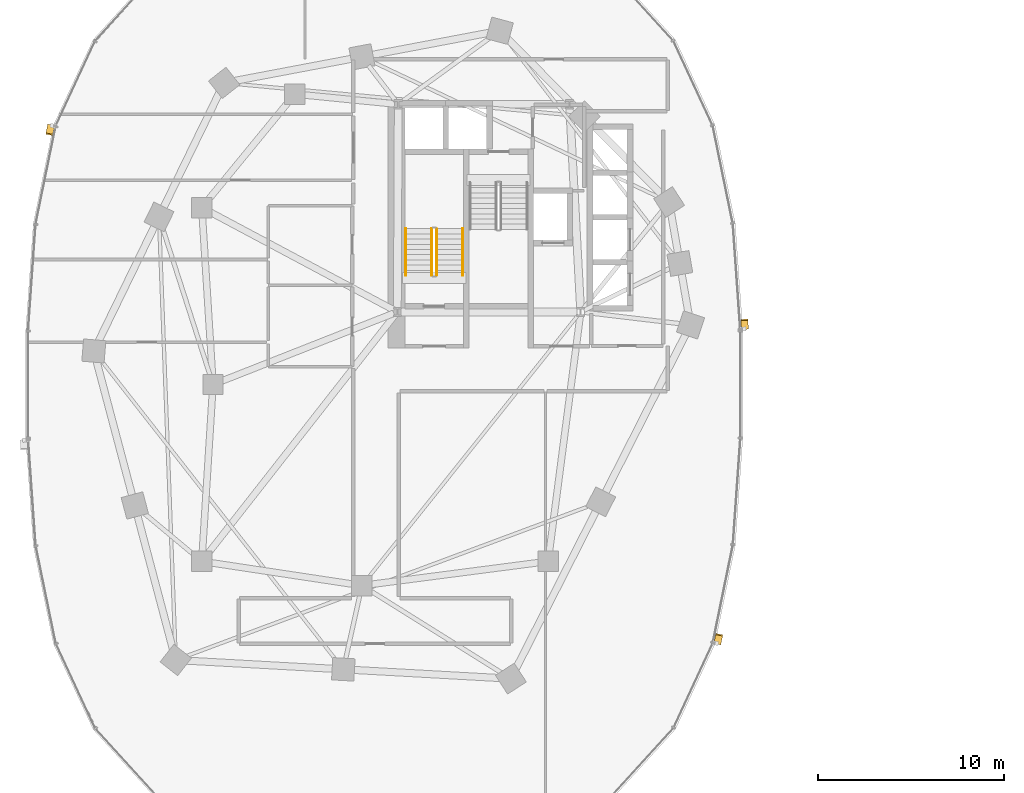
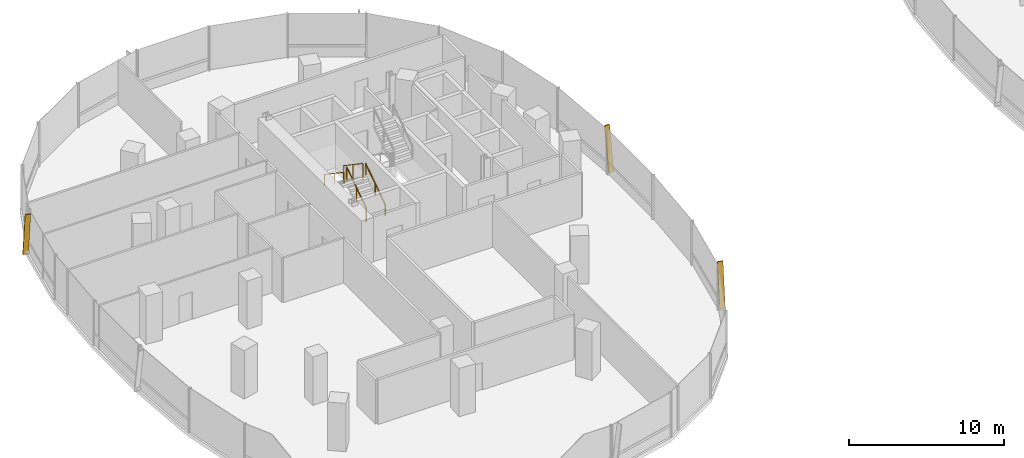
# One storey, part 18 of 21: 4 railings, 3 shading devices.
"""IFC4 building model written with IfcOpenShell, lengths in metres."""

from ifc_helpers import new_model, si_unit, direction, frame, origin, origin_2d, place, context, subcontext, project, spatial, rectangle, extrude, material, material_profile, profile_set, type_object, element, save


model = new_model("IFC4")

# Units and contexts
model_context = context("Model", 3, precision=1e-05, world=origin(), true_north=direction((0.0, 1.0)))
body_context = subcontext(model_context, "Body", "Model", "MODEL_VIEW")
ifc_project = project(units=[si_unit("LENGTHUNIT", "METRE"), si_unit("AREAUNIT", "SQUARE_METRE"), si_unit("VOLUMEUNIT", "CUBIC_METRE"), si_unit("PLANEANGLEUNIT", "RADIAN"), si_unit("MASSUNIT", "GRAM", prefix="KILO"), si_unit("THERMODYNAMICTEMPERATUREUNIT", "KELVIN"), si_unit("POWERUNIT", "WATT")], contexts=[model_context])

# Site, building, storey
site_placement = place(None, origin())
site = spatial("IfcSite", under=ifc_project, at=site_placement, CompositionType="ELEMENT")
building_placement = place(site_placement, origin())
building = spatial("IfcBuilding", under=site, at=building_placement, Name="Cundina Bronze Exchange", CompositionType="ELEMENT")
storey_placement = place(building_placement, frame((0.0, 0.0, 31.60009765625)))
storey = spatial("IfcBuildingStorey", under=building, at=storey_placement, Name="L07", CompositionType="ELEMENT", Elevation=31.60009765625)

# Railings
ifc_material_1 = material(Name="Steel ASTM A36 Painted", Category="steel")
railing_type_1 = type_object("IfcRailingType", Name="RLG-HND-900", PredefinedType="HANDRAIL", material=ifc_material_1)
railing_1_placement = place(storey_placement, frame((-27.7900390625, 5.85009765625, 0.18994140625)))
element("IfcRailing", 1, at=railing_1_placement, inside=storey, type_object=railing_type_1, Name="L07 ST-W1 stair handrail 1", PredefinedType="HANDRAIL", context=body_context, shape_type="SweptSolid", body=[
    extrude(rectangle(XDim=0.048095703125, YDim=0.048095703125, at=origin_2d()), frame((0.0, 0.0, 0.8759765625), z_axis=(0.0, 0.827483756001, 0.561489655786), x_axis=(-1.0, 0.0, 0.0)), (0.0, 0.0, 1.0), 3.04541015625),
    extrude(rectangle(XDim=0.0419921875, YDim=0.0419921875, at=origin_2d()), origin(), (0.0, 0.0, 1.0), 0.851806640625),
    extrude(rectangle(XDim=0.0419921875, YDim=0.0419921875, at=origin_2d()), frame((0.0, 1.260009765625, 0.85498046875)), (0.0, 0.0, 1.0), 0.851806640625),
    extrude(rectangle(XDim=0.0419921875, YDim=0.0419921875, at=origin_2d()), frame((0.0, 2.52001953125, 1.7099609375)), (0.0, 0.0, 1.0), 0.851806640625),
])
railing_2_placement = place(storey_placement, frame((-30.85009765625, 8.3701171875, 2.08984375)))
element("IfcRailing", 2, at=railing_2_placement, inside=storey, type_object=railing_type_1, Name="L07 ST-W1 stair handrail 2", PredefinedType="HANDRAIL", context=body_context, shape_type="SweptSolid", body=[
    extrude(rectangle(XDim=0.048095703125, YDim=0.048095703125, at=origin_2d()), frame((0.0, 0.0, 0.8759765625), z_axis=(0.0, -0.827483756001, 0.561489655786), x_axis=(1.0, 0.0, 0.0)), (0.0, 0.0, 1.0), 3.04541015625),
    extrude(rectangle(XDim=0.0419921875, YDim=0.0419921875, at=origin_2d()), origin(), (0.0, 0.0, 1.0), 0.851806640625),
    extrude(rectangle(XDim=0.0419921875, YDim=0.0419921875, at=origin_2d()), frame((0.0, -1.260009765625, 0.85498046875)), (0.0, 0.0, 1.0), 0.851806640625),
    extrude(rectangle(XDim=0.0419921875, YDim=0.0419921875, at=origin_2d()), frame((0.0, -2.52001953125, 1.7099609375)), (0.0, 0.0, 1.0), 0.851806640625),
])
railing_type_2 = type_object("IfcRailingType", Name="RLG-STG-1100", PredefinedType="GUARDRAIL", material=ifc_material_1)
railing_3_placement = place(storey_placement, frame((-29.18994140625, 5.85009765625, 0.18994140625)))
element("IfcRailing", 3, at=railing_3_placement, inside=storey, type_object=railing_type_2, Name="L07 ST-W1 stair guard 1", PredefinedType="GUARDRAIL", context=body_context, shape_type="SweptSolid", body=[
    extrude(rectangle(XDim=0.048095703125, YDim=0.048095703125, at=origin_2d()), frame((0.0, 0.0, 1.076171875), z_axis=(0.0, 0.827483756001, 0.561489655786), x_axis=(-1.0, 0.0, 0.0)), (0.0, 0.0, 1.0), 3.04541015625),
    extrude(rectangle(XDim=0.0419921875, YDim=0.0419921875, at=origin_2d()), origin(), (0.0, 0.0, 1.0), 1.052001953125),
    extrude(rectangle(XDim=0.0419921875, YDim=0.0419921875, at=origin_2d()), frame((0.0, 1.260009765625, 0.85498046875)), (0.0, 0.0, 1.0), 1.052001953125),
    extrude(rectangle(XDim=0.0419921875, YDim=0.0419921875, at=origin_2d()), frame((0.0, 2.52001953125, 1.7099609375)), (0.0, 0.0, 1.0), 1.052001953125),
])
railing_4_placement = place(storey_placement, frame((-29.449951171875, 8.3701171875, 2.08984375)))
element("IfcRailing", 4, at=railing_4_placement, inside=storey, type_object=railing_type_2, Name="L07 ST-W1 stair guard 3", PredefinedType="GUARDRAIL", context=body_context, shape_type="SweptSolid", body=[
    extrude(rectangle(XDim=0.048095703125, YDim=0.048095703125, at=origin_2d()), frame((0.0, 0.0, 1.076171875), z_axis=(0.0, -0.827483756001, 0.561489655786), x_axis=(1.0, 0.0, 0.0)), (0.0, 0.0, 1.0), 3.04541015625),
    extrude(rectangle(XDim=0.0419921875, YDim=0.0419921875, at=origin_2d()), origin(), (0.0, 0.0, 1.0), 1.052001953125),
    extrude(rectangle(XDim=0.0419921875, YDim=0.0419921875, at=origin_2d()), frame((0.0, -1.260009765625, 0.85498046875)), (0.0, 0.0, 1.0), 1.052001953125),
    extrude(rectangle(XDim=0.0419921875, YDim=0.0419921875, at=origin_2d()), frame((0.0, -2.52001953125, 1.7099609375)), (0.0, 0.0, 1.0), 1.052001953125),
])

# Shading devices
ifc_material_2 = material(Name="Anodised Bronze Aluminium 6063-T6", Category="aluminium")
ifc_material_profile = material_profile(ifc_material_2, rectangle(XDim=0.070068359375, YDim=0.3798828125, at=origin_2d()), Name="FIN70X380", Category="aluminium")
ifc_profile_set = profile_set([ifc_material_profile], Name="Anodised Bronze Aluminium 6063-T6")
shading_device_type = type_object("IfcShadingDeviceType", Name="SHD-FIN-BRZ380", PredefinedType="USERDEFINED", material=ifc_profile_set)
for number, where, z_axis, x_axis, name in (
    (5, (-12.6259765625, 2.993896484375, 0.02001953125), (-0.009645159174, 0.137059109714, 0.990515911709), (0.06953288269, -0.988072340253, 0.137398066402), "L07 Diagonal Bronze Solar Fin 1"),
    (6, (-49.89599609375, 13.911865234375, 0.02001953125), (-0.027747134956, -0.134612045151, 0.990509815096), (0.199966585563, 0.970114971774, 0.137442010309), "L07 Diagonal Bronze Solar Fin 5"),
    (7, (-14.10400390625, -13.911865234375, 0.02001953125), (0.027747134956, 0.134612045151, 0.990509815096), (-0.199966585563, -0.970114971774, 0.137442010309), "L07 Diagonal Bronze Solar Fin 5"),
):
    element("IfcShadingDevice", number, at=place(storey_placement, frame(where, z_axis=z_axis, x_axis=x_axis)), inside=storey, type_object=shading_device_type, Name=name, ObjectType="FIN", PredefinedType="USERDEFINED", context=body_context, shape_type="SweptSolid", body=[
        extrude(rectangle(XDim=0.070068359375, YDim=0.3798828125, at=origin_2d()), origin(), (0.0, 0.0, 1.0), 3.4931640625),
    ])

save(model, "model.ifc")
